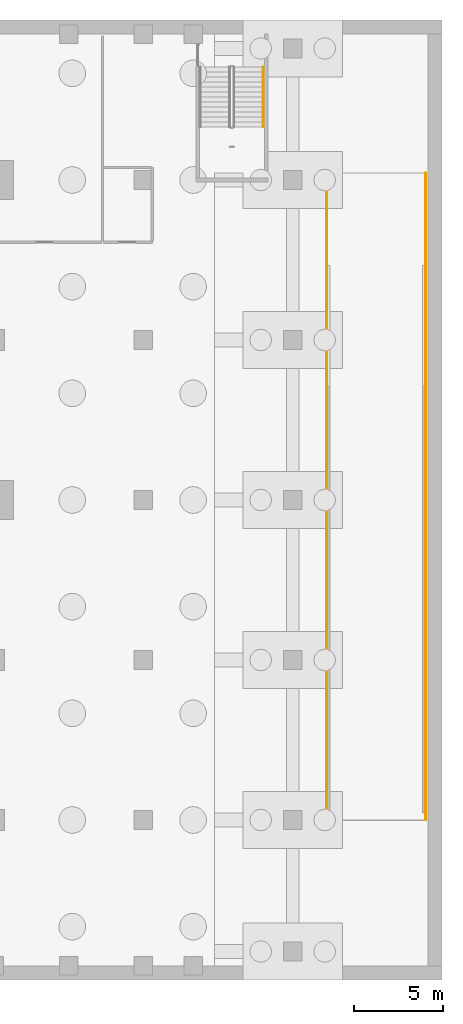
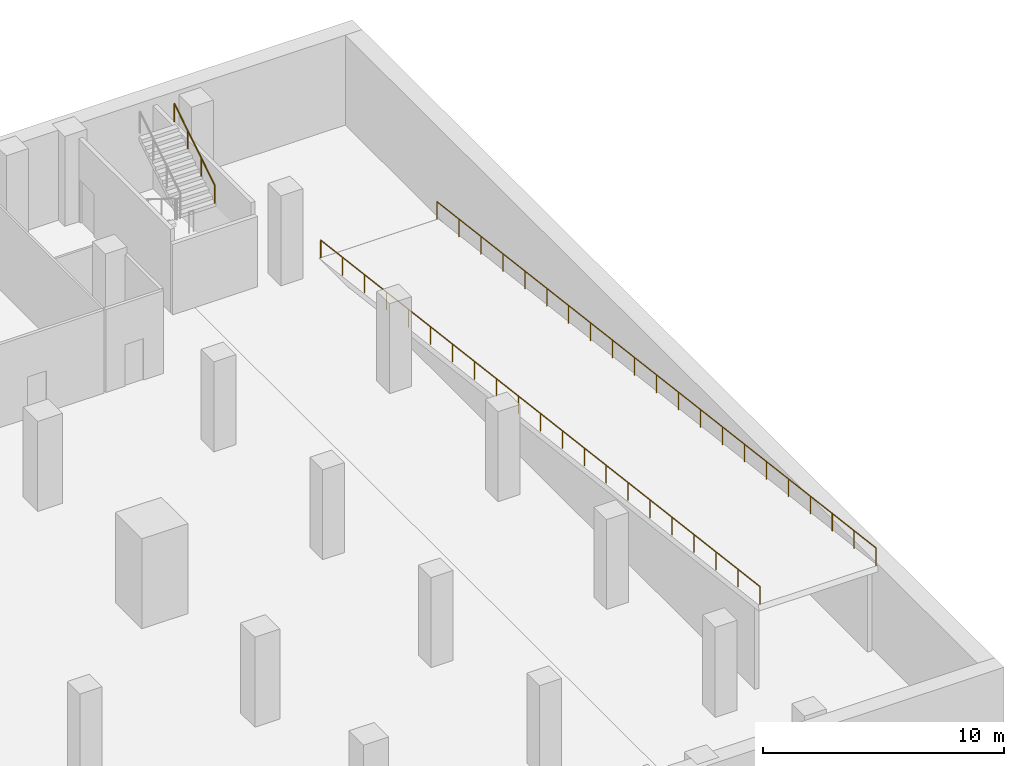
# One storey, part 8 of 9: 3 railings.
"""IFC4 building model written with IfcOpenShell, lengths in metres."""

import ifcopenshell
import ifcopenshell.guid

model = None  # the IFC model being written
_history = None  # IfcOwnerHistory: only IFC2X3 demands one
_inside = {}  # id of a spatial element -> (the spatial element, [elements in it])
_under = {}  # id of a project, library or spatial element -> (it, [spatial elements below it])
_declared = {}  # id of a project -> (the project, [libraries it declares])
_typed = {}  # id of a type object -> (the type object, [elements of that type])
_made_of = {}  # id of a material, layer set ... -> (it, [elements and type objects made of it])


def new_model(schema):
    """Start an empty IFC model of exactly this schema.

    Asked for "IFC4X3", IfcOpenShell would pick the latest addendum, in which some entities
    have other attributes; the version numbers below select the first issue.
    IFC2X3 requires an IfcOwnerHistory on every rooted entity: one is made here for all.
    """
    global model, _history
    if schema == "IFC4X3":
        model = ifcopenshell.file(schema_version=(4, 3, 0, 0))
    else:
        model = ifcopenshell.file(schema=schema)
    _inside.clear()
    _under.clear()
    _declared.clear()
    _typed.clear()
    _made_of.clear()
    _history = None
    if model.schema == "IFC2X3":
        org = make("IfcOrganization", Name="unknown")
        user = make(
            "IfcPersonAndOrganization",
            ThePerson=make("IfcPerson", FamilyName="unknown"),
            TheOrganization=org,
        )
        app = make(
            "IfcApplication",
            ApplicationDeveloper=org,
            Version="unknown",
            ApplicationFullName="unknown",
            ApplicationIdentifier="unknown",
        )
        _history = make(
            "IfcOwnerHistory",
            OwningUser=user,
            OwningApplication=app,
            ChangeAction="ADDED",
            CreationDate=0,
        )
    return model


def make(cls, **values):
    """One entity of the class cls with the attributes given. An attribute that is None is left unset."""
    return model.create_entity(
        cls, **{name: value for name, value in values.items() if value is not None}
    )


def rooted(cls, **values):
    """An entity with a GlobalId (a new one), such as an element, a storey or a relation."""
    return make(cls, GlobalId=ifcopenshell.guid.new(), OwnerHistory=_history, **values)


def si_unit(unit_type, name, prefix=None):
    """IfcSIUnit, for example si_unit("LENGTHUNIT", "METRE", prefix="MILLI")."""
    return make("IfcSIUnit", UnitType=unit_type, Prefix=prefix, Name=name)


def assignment(units):
    """IfcUnitAssignment: the units of a project."""
    return None if units is None else make("IfcUnitAssignment", Units=units)


def point(xyz):
    """IfcCartesianPoint."""
    return None if xyz is None else make("IfcCartesianPoint", Coordinates=xyz)


def direction(xyz):
    """IfcDirection."""
    return None if xyz is None else make("IfcDirection", DirectionRatios=xyz)


def frame(location, z_axis=None, x_axis=None):
    """IfcAxis2Placement3D, a coordinate frame: its origin and axes. An axis left out is left unset."""
    return make(
        "IfcAxis2Placement3D",
        Location=point(location),
        Axis=direction(z_axis),
        RefDirection=direction(x_axis),
    )


def frame_2d(location, x_axis=None):
    """IfcAxis2Placement2D, a coordinate frame in the plane: its origin and x axis."""
    return make(
        "IfcAxis2Placement2D", Location=point(location), RefDirection=direction(x_axis)
    )


def origin():
    """The frame at (0, 0, 0) with its axes left unset."""
    return frame((0.0, 0.0, 0.0))


def origin_2d():
    """The frame at (0, 0) in the plane with its x axis left unset."""
    return frame_2d((0.0, 0.0))


def place(relative_to, where):
    """IfcLocalPlacement: puts the frame where relative to a parent placement (None: the world)."""
    return make(
        "IfcLocalPlacement", PlacementRelTo=relative_to, RelativePlacement=where
    )


def context(
    kind, dimensions, precision=None, world=None, true_north=None, identifier=None
):
    """IfcGeometricRepresentationContext, for example the 3D "Model" context."""
    return make(
        "IfcGeometricRepresentationContext",
        ContextIdentifier=identifier,
        ContextType=kind,
        CoordinateSpaceDimension=dimensions,
        Precision=precision,
        WorldCoordinateSystem=world,
        TrueNorth=true_north,
    )


def subcontext(parent, identifier, kind, view, scale=None):
    """IfcGeometricRepresentationSubContext, for example "Body" below "Model"."""
    return make(
        "IfcGeometricRepresentationSubContext",
        ContextIdentifier=identifier,
        ContextType=kind,
        ParentContext=parent,
        TargetScale=scale,
        TargetView=view,
    )


def project(units=None, contexts=None):
    """IfcProject with its units and contexts."""
    return rooted(
        "IfcProject",
        Name="project",
        RepresentationContexts=contexts,
        UnitsInContext=assignment(units),
    )


def spatial(cls, under=None, at=None, **own):
    """A site, building, storey or space (cls), placed at a placement, below another one or the project."""
    s = rooted(cls, ObjectPlacement=at, **own)
    if under is not None:
        _under.setdefault(under.id(), (under, []))[1].append(s)
    return s


def profile(cls, at=None, kind="AREA", **sizes):
    """A parametric profile (cls). Its sizes go by their IFC names, for example OverallWidth=200.0."""
    return make(cls, ProfileType=kind, Position=at, **sizes)


def circle(**sizes):
    """IfcCircleProfileDef."""
    return profile("IfcCircleProfileDef", **sizes)


def extrude(swept, where, along, depth):
    """IfcExtrudedAreaSolid: the profile swept, set in the frame where, extruded along a direction by depth."""
    return make(
        "IfcExtrudedAreaSolid",
        SweptArea=swept,
        Position=where,
        ExtrudedDirection=direction(along),
        Depth=depth,
    )


def shape(context_of_items, identifier, shape_type, items):
    """IfcShapeRepresentation: the items that make up one representation, for example the "Body"."""
    return make(
        "IfcShapeRepresentation",
        ContextOfItems=context_of_items,
        RepresentationIdentifier=identifier,
        RepresentationType=shape_type,
        Items=items,
    )


def material(Name=None, Category=None):
    """IfcMaterial."""
    return make("IfcMaterial", Name=Name, Category=Category)


def made_of(thing, what):
    """Note that an element or type object is made of a material, layer set ...; save() writes the relation."""
    if what is not None:
        _made_of.setdefault(what.id(), (what, []))[1].append(thing)
    return thing


def type_object(cls, material=None, **own):
    """A type object (cls), such as IfcWallType, which elements share."""
    return made_of(rooted(cls, **own), material)


def element(
    cls,
    number,
    at=None,
    inside=None,
    cuts=None,
    type_object=None,
    material=None,
    context=None,
    identifier="Body",
    shape_type=None,
    held_by="IfcProductDefinitionShape",
    body=None,
    shapes=None,
    **own,
):
    """One element of the class cls, such as IfcWall. Its Tag is "e" and its number.

    at: its placement. inside: the storey or other place that contains it. cuts: it is an
    opening in that element (IfcRelVoidsElement). A single representation is given by context,
    identifier, shape_type and body (its items); several are given by shapes. held_by: the class
    of the entity that holds the representations. save() writes the other relations.
    """
    e = rooted(cls, Tag="e%d" % number, ObjectPlacement=at, **own)
    if body is not None:
        shapes = [shape(context, identifier, shape_type, body)]
    if shapes is not None:
        e.Representation = make(held_by, Representations=shapes)
    if inside is not None:
        _inside.setdefault(inside.id(), (inside, []))[1].append(e)
    if cuts is not None:
        rooted(
            "IfcRelVoidsElement", RelatingBuildingElement=cuts, RelatedOpeningElement=e
        )
    if type_object is not None:
        _typed.setdefault(type_object.id(), (type_object, []))[1].append(e)
    return made_of(e, material)


def aggregate(whole, parts):
    """IfcRelAggregates: a whole, such as a stair, and the parts it consists of."""
    return rooted("IfcRelAggregates", RelatingObject=whole, RelatedObjects=parts)


def save(model, path):
    """Write the relations noted so far, then the file.

    IfcRelAggregates (storeys below a building ...), IfcRelContainedInSpatialStructure (elements
    in a storey), IfcRelDefinesByType, IfcRelAssociatesMaterial and IfcRelDeclares: one each for
    every whole, place, type object, material and project.
    """
    for whole, parts in _under.values():
        aggregate(whole, parts)
    for where, things in _inside.values():
        rooted(
            "IfcRelContainedInSpatialStructure",
            RelatedElements=things,
            RelatingStructure=where,
        )
    for kind, things in _typed.values():
        rooted("IfcRelDefinesByType", RelatedObjects=things, RelatingType=kind)
    for what, things in _made_of.values():
        rooted("IfcRelAssociatesMaterial", RelatedObjects=things, RelatingMaterial=what)
    for by, libraries in _declared.values():
        rooted("IfcRelDeclares", RelatingContext=by, RelatedDefinitions=libraries)
    model.write(path)


model = new_model("IFC4")

# Units and contexts
model_context = context("Model", 3, precision=1e-05, world=origin(), true_north=direction((0.0, 1.0)))
body_context = subcontext(model_context, "Body", "Model", "MODEL_VIEW")
ifc_project = project(units=[si_unit("LENGTHUNIT", "METRE"), si_unit("AREAUNIT", "SQUARE_METRE"), si_unit("VOLUMEUNIT", "CUBIC_METRE"), si_unit("PLANEANGLEUNIT", "RADIAN"), si_unit("MASSUNIT", "GRAM", prefix="KILO")], contexts=[model_context])

# Site, building, storey
site_placement = place(None, origin())
site = spatial("IfcSite", under=ifc_project, at=site_placement, CompositionType="ELEMENT")
building_placement = place(site_placement, origin())
building = spatial("IfcBuilding", under=site, at=building_placement, Name="Maruvema Waterfront Hotel and Observation Tower", CompositionType="ELEMENT")
storey_placement = place(building_placement, frame((0.0, 0.0, -9.800048828125)))
storey = spatial("IfcBuildingStorey", under=building, at=storey_placement, Name="B02", CompositionType="ELEMENT", Elevation=-9.800048828125)

# Railings
ifc_material = material(Name="Brushed stainless steel Grade 316", Category="steel")
railing_type = type_object("IfcRailingType", Name="Ramp Continuous Wall Handrail 920 mm", PredefinedType="HANDRAIL", material=ifc_material)
railing_1_placement = place(storey_placement, frame((65.550048828125, 47.989990234375, 2.449951171875)))
element("IfcRailing", 1, at=railing_1_placement, inside=storey, type_object=railing_type, Name="B02 ST-05 stair handrail 2", PredefinedType="HANDRAIL", context=body_context, shape_type="SweptSolid", body=[
    extrude(circle(Radius=0.02392578125, at=origin_2d()), frame((0.0, 0.0, 0.89599609375), z_axis=(0.0, 0.847994842521, 0.530004478338), x_axis=(-1.0, 0.0, 0.0)), (0.0, 0.0, 1.0), 3.96240234375),
    extrude(circle(Radius=0.02099609375, at=origin_2d()), origin(), (0.0, 0.0, 1.0), 0.871826171875),
    extrude(circle(Radius=0.02099609375, at=origin_2d()), frame((0.0, 1.1201171875, 0.699951171875)), (0.0, 0.0, 1.0), 0.871826171875),
    extrude(circle(Radius=0.02099609375, at=origin_2d()), frame((0.0, 2.239990234375, 1.400146484375)), (0.0, 0.0, 1.0), 0.871826171875),
    extrude(circle(Radius=0.02099609375, at=origin_2d()), frame((0.0, 3.360107421875, 2.10009765625)), (0.0, 0.0, 1.0), 0.871826171875),
])
railing_2_placement = place(storey_placement, frame((69.1201171875, 45.39990234375, 0.0)))
element("IfcRailing", 2, at=railing_2_placement, inside=storey, type_object=railing_type, Name="Vehicle Ramp RMP-02 West Handrail", PredefinedType="HANDRAIL", context=body_context, shape_type="SweptSolid", body=[
    extrude(circle(Radius=0.02392578125, at=origin_2d()), frame((0.0, 0.0, 0.89599609375), z_axis=(0.0, -0.992277671931, 0.124036372837), x_axis=(1.0, 0.0, 0.0)), (0.0, 0.0, 1.0), 36.68310546875),
    extrude(circle(Radius=0.02099609375, at=origin_2d()), origin(), (0.0, 0.0, 1.0), 0.871826171875),
    extrude(circle(Radius=0.02099609375, at=origin_2d()), frame((0.0, -1.820068359375, 0.2275390625)), (0.0, 0.0, 1.0), 0.871826171875),
    extrude(circle(Radius=0.02099609375, at=origin_2d()), frame((0.0, -3.639892578125, 0.455078125)), (0.0, 0.0, 1.0), 0.871826171875),
    extrude(circle(Radius=0.02099609375, at=origin_2d()), frame((0.0, -5.4599609375, 0.6826171875)), (0.0, 0.0, 1.0), 0.871826171875),
    extrude(circle(Radius=0.02099609375, at=origin_2d()), frame((0.0, -7.280029296875, 0.909912109375)), (0.0, 0.0, 1.0), 0.871826171875),
    extrude(circle(Radius=0.02099609375, at=origin_2d()), frame((0.0, -9.10009765625, 1.137451171875)), (0.0, 0.0, 1.0), 0.871826171875),
    extrude(circle(Radius=0.02099609375, at=origin_2d()), frame((0.0, -10.919921875, 1.364990234375)), (0.0, 0.0, 1.0), 0.871826171875),
    extrude(circle(Radius=0.02099609375, at=origin_2d()), frame((0.0, -12.739990234375, 1.592529296875)), (0.0, 0.0, 1.0), 0.871826171875),
    extrude(circle(Radius=0.02099609375, at=origin_2d()), frame((0.0, -14.56005859375, 1.820068359375)), (0.0, 0.0, 1.0), 0.871826171875),
    extrude(circle(Radius=0.02099609375, at=origin_2d()), frame((0.0, -16.3798828125, 2.047607421875)), (0.0, 0.0, 1.0), 0.871826171875),
    extrude(circle(Radius=0.02099609375, at=origin_2d()), frame((0.0, -18.199951171875, 2.27490234375)), (0.0, 0.0, 1.0), 0.871826171875),
    extrude(circle(Radius=0.02099609375, at=origin_2d()), frame((0.0, -20.02001953125, 2.50244140625)), (0.0, 0.0, 1.0), 0.871826171875),
    extrude(circle(Radius=0.02099609375, at=origin_2d()), frame((0.0, -21.83984375, 2.72998046875)), (0.0, 0.0, 1.0), 0.871826171875),
    extrude(circle(Radius=0.02099609375, at=origin_2d()), frame((0.0, -23.659912109375, 2.95751953125)), (0.0, 0.0, 1.0), 0.871826171875),
    extrude(circle(Radius=0.02099609375, at=origin_2d()), frame((0.0, -25.47998046875, 3.18505859375)), (0.0, 0.0, 1.0), 0.871826171875),
    extrude(circle(Radius=0.02099609375, at=origin_2d()), frame((0.0, -27.2998046875, 3.41259765625)), (0.0, 0.0, 1.0), 0.871826171875),
    extrude(circle(Radius=0.02099609375, at=origin_2d()), frame((0.0, -29.119873046875, 3.64013671875)), (0.0, 0.0, 1.0), 0.871826171875),
    extrude(circle(Radius=0.02099609375, at=origin_2d()), frame((0.0, -30.93994140625, 3.867431640625)), (0.0, 0.0, 1.0), 0.871826171875),
    extrude(circle(Radius=0.02099609375, at=origin_2d()), frame((0.0, -32.760009765625, 4.094970703125)), (0.0, 0.0, 1.0), 0.871826171875),
    extrude(circle(Radius=0.02099609375, at=origin_2d()), frame((0.0, -34.579833984375, 4.322509765625)), (0.0, 0.0, 1.0), 0.871826171875),
    extrude(circle(Radius=0.02099609375, at=origin_2d()), frame((0.0, -36.39990234375, 4.550048828125)), (0.0, 0.0, 1.0), 0.871826171875),
])
railing_3_placement = place(storey_placement, frame((74.679931640625, 45.39990234375, 0.0)))
element("IfcRailing", 3, at=railing_3_placement, inside=storey, type_object=railing_type, Name="Vehicle Ramp RMP-02 East Handrail", PredefinedType="HANDRAIL", context=body_context, shape_type="SweptSolid", body=[
    extrude(circle(Radius=0.02392578125, at=origin_2d()), frame((0.0, 0.0, 0.89599609375), z_axis=(0.0, -0.992277671931, 0.124036372837), x_axis=(1.0, 0.0, 0.0)), (0.0, 0.0, 1.0), 36.68310546875),
    extrude(circle(Radius=0.02099609375, at=origin_2d()), origin(), (0.0, 0.0, 1.0), 0.871826171875),
    extrude(circle(Radius=0.02099609375, at=origin_2d()), frame((0.0, -1.820068359375, 0.2275390625)), (0.0, 0.0, 1.0), 0.871826171875),
    extrude(circle(Radius=0.02099609375, at=origin_2d()), frame((0.0, -3.639892578125, 0.455078125)), (0.0, 0.0, 1.0), 0.871826171875),
    extrude(circle(Radius=0.02099609375, at=origin_2d()), frame((0.0, -5.4599609375, 0.6826171875)), (0.0, 0.0, 1.0), 0.871826171875),
    extrude(circle(Radius=0.02099609375, at=origin_2d()), frame((0.0, -7.280029296875, 0.909912109375)), (0.0, 0.0, 1.0), 0.871826171875),
    extrude(circle(Radius=0.02099609375, at=origin_2d()), frame((0.0, -9.10009765625, 1.137451171875)), (0.0, 0.0, 1.0), 0.871826171875),
    extrude(circle(Radius=0.02099609375, at=origin_2d()), frame((0.0, -10.919921875, 1.364990234375)), (0.0, 0.0, 1.0), 0.871826171875),
    extrude(circle(Radius=0.02099609375, at=origin_2d()), frame((0.0, -12.739990234375, 1.592529296875)), (0.0, 0.0, 1.0), 0.871826171875),
    extrude(circle(Radius=0.02099609375, at=origin_2d()), frame((0.0, -14.56005859375, 1.820068359375)), (0.0, 0.0, 1.0), 0.871826171875),
    extrude(circle(Radius=0.02099609375, at=origin_2d()), frame((0.0, -16.3798828125, 2.047607421875)), (0.0, 0.0, 1.0), 0.871826171875),
    extrude(circle(Radius=0.02099609375, at=origin_2d()), frame((0.0, -18.199951171875, 2.27490234375)), (0.0, 0.0, 1.0), 0.871826171875),
    extrude(circle(Radius=0.02099609375, at=origin_2d()), frame((0.0, -20.02001953125, 2.50244140625)), (0.0, 0.0, 1.0), 0.871826171875),
    extrude(circle(Radius=0.02099609375, at=origin_2d()), frame((0.0, -21.83984375, 2.72998046875)), (0.0, 0.0, 1.0), 0.871826171875),
    extrude(circle(Radius=0.02099609375, at=origin_2d()), frame((0.0, -23.659912109375, 2.95751953125)), (0.0, 0.0, 1.0), 0.871826171875),
    extrude(circle(Radius=0.02099609375, at=origin_2d()), frame((0.0, -25.47998046875, 3.18505859375)), (0.0, 0.0, 1.0), 0.871826171875),
    extrude(circle(Radius=0.02099609375, at=origin_2d()), frame((0.0, -27.2998046875, 3.41259765625)), (0.0, 0.0, 1.0), 0.871826171875),
    extrude(circle(Radius=0.02099609375, at=origin_2d()), frame((0.0, -29.119873046875, 3.64013671875)), (0.0, 0.0, 1.0), 0.871826171875),
    extrude(circle(Radius=0.02099609375, at=origin_2d()), frame((0.0, -30.93994140625, 3.867431640625)), (0.0, 0.0, 1.0), 0.871826171875),
    extrude(circle(Radius=0.02099609375, at=origin_2d()), frame((0.0, -32.760009765625, 4.094970703125)), (0.0, 0.0, 1.0), 0.871826171875),
    extrude(circle(Radius=0.02099609375, at=origin_2d()), frame((0.0, -34.579833984375, 4.322509765625)), (0.0, 0.0, 1.0), 0.871826171875),
    extrude(circle(Radius=0.02099609375, at=origin_2d()), frame((0.0, -36.39990234375, 4.550048828125)), (0.0, 0.0, 1.0), 0.871826171875),
])

save(model, "model.ifc")
